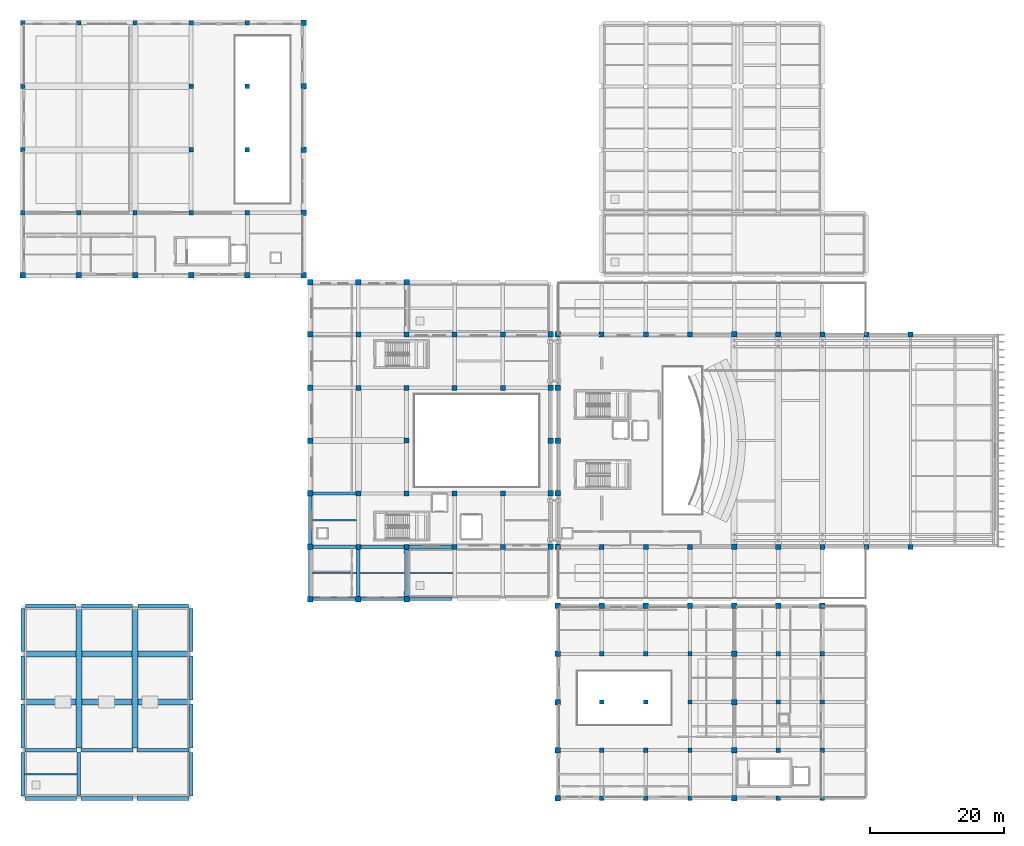
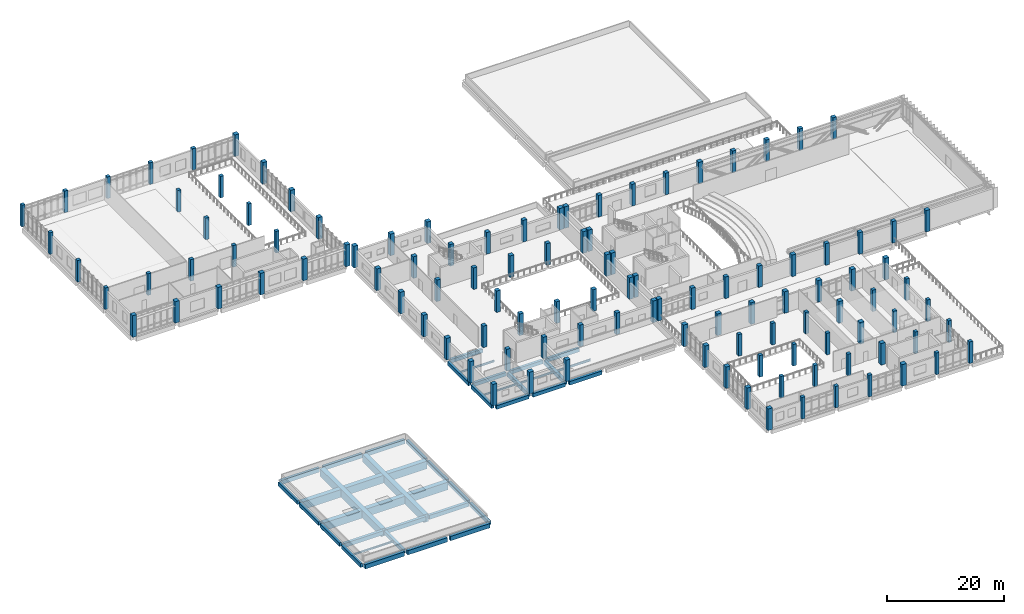
# One storey, part 1 of 54: 115 columns, 38 beams.
"""IFC4 building model written with IfcOpenShell, lengths in metres."""

from ifc_helpers import new_model, si_unit, direction, frame, origin, origin_2d, place, context, subcontext, project, spatial, rectangle, i_section, extrude, material, material_profile, profile_set, type_object, element, save


model = new_model("IFC4")

# Units and contexts
model_context = context("Model", 3, precision=1e-05, world=origin(), true_north=direction((0.0, 1.0)))
body_context = subcontext(model_context, "Body", "Model", "MODEL_VIEW")
ifc_project = project(units=[si_unit("LENGTHUNIT", "METRE"), si_unit("AREAUNIT", "SQUARE_METRE"), si_unit("VOLUMEUNIT", "CUBIC_METRE"), si_unit("PLANEANGLEUNIT", "RADIAN"), si_unit("MASSUNIT", "GRAM", prefix="KILO")], contexts=[model_context])

# Site, building, storey
site_placement = place(None, origin())
site = spatial("IfcSite", under=ifc_project, at=site_placement, CompositionType="ELEMENT")
building_placement = place(site_placement, origin())
building = spatial("IfcBuilding", under=site, at=building_placement, Name="Kelarvand Opera House", CompositionType="ELEMENT")
storey_placement = place(building_placement, frame((0.0, 0.0, 15.0)))
storey = spatial("IfcBuildingStorey", under=building, at=storey_placement, Name="L03", CompositionType="ELEMENT", Elevation=15.0)

# Columns
ifc_material_1 = material(Name="Concrete C40/50", Category="concrete")
ifc_material_profile_1 = material_profile(ifc_material_1, rectangle(XDim=0.64990234375, YDim=0.64990234375, at=origin_2d()), Name="RC 650x650", Category="concrete")
ifc_profile_set_1 = profile_set([ifc_material_profile_1], Name="Concrete C40/50")
column_type_1 = type_object("IfcColumnType", Name="Structural Column RC 650x650 (Ext) COL-650E", PredefinedType="COLUMN", material=ifc_profile_set_1)
for number, where, z_axis, x_axis, name in (
    (1, (9.0, 96.60009765625, 0.0), (0.0, 0.0, 1.0), (1.0, 0.0, 0.0), "V3 Column COL-650E at L03"),
    (2, (9.0, 106.0, 0.0), (0.0, 0.0, 1.0), (1.0, 0.0, 0.0), "V3 Column COL-650E at L03"),
    (3, (9.0, 115.5, 0.0), (0.0, 0.0, 1.0), (1.0, 0.0, 0.0), "V3 Column COL-650E at L03"),
    (4, (9.0, 125.0, 0.0), (0.0, 0.0, 1.0), (1.0, 0.0, 0.0), "V3 Column COL-650E at L03"),
    (5, (17.39990234375, 125.0, 0.0), (0.0, 0.0, 1.0), (1.0, 0.0, 0.0), "V3 Column COL-650E at L03"),
    (6, (25.800048828125, 125.0, 0.0), (0.0, 0.0, 1.0), (1.0, 0.0, 0.0), "V3 Column COL-650E at L03"),
    (7, (34.199951171875, 125.0, 0.0), (0.0, 0.0, 1.0), (1.0, 0.0, 0.0), "V3 Column COL-650E at L03"),
    (8, (42.60009765625, 125.0, 0.0), (0.0, 0.0, 1.0), (1.0, 0.0, 0.0), "V3 Column COL-650E at L03"),
    (9, (95.60009765625, 9.0, 0.0), (0.0, 0.0, 1.0), (1.0, 0.0, 0.0), "V6 Column COL-650E at L03"),
    (10, (102.199951171875, 9.0, 0.0), (0.0, 0.0, 1.0), (1.0, 0.0, 0.0), "V6 Column COL-650E at L03"),
    (11, (108.800048828125, 9.0, 0.0), (0.0, 0.0, 1.0), (1.0, 0.0, 0.0), "V6 Column COL-650E at L03"),
    (12, (122.0, 9.0, 0.0), (0.0, 0.0, 1.0), (1.0, 0.0, 0.0), "V6 Column COL-650E at L03"),
    (13, (128.60009765625, 9.0, 0.0), (0.0, 0.0, 1.0), (1.0, 0.0, 0.0), "V6 Column COL-650E at L03"),
):
    element("IfcColumn", number, at=place(storey_placement, frame(where, z_axis=z_axis, x_axis=x_axis)), inside=storey, type_object=column_type_1, Name=name, PredefinedType="COLUMN", context=body_context, shape_type="SweptSolid", body=[
        extrude(rectangle(XDim=0.64990234375, YDim=0.64990234375, at=origin_2d()), origin(), (0.0, 0.0, 1.0), 4.5),
    ])
ifc_material_profile_2 = material_profile(ifc_material_1, rectangle(XDim=0.64990234375, YDim=0.64990234375, at=origin_2d()), Name="RC 650x650", Category="concrete")
ifc_profile_set_2 = profile_set([ifc_material_profile_2], Name="Concrete C40/50")
column_type_2 = type_object("IfcColumnType", Name="Structural Column RC 650x650 (Int) COL-650", PredefinedType="COLUMN", material=ifc_profile_set_2)
for number, where, z_axis, x_axis, name in (
    (14, (17.39990234375, 96.60009765625, 0.0), (0.0, 0.0, 1.0), (1.0, 0.0, 0.0), "V3 Column COL-650 at L03"),
    (15, (25.800048828125, 96.60009765625, 0.0), (0.0, 0.0, 1.0), (1.0, 0.0, 0.0), "V3 Column COL-650 at L03"),
    (16, (34.199951171875, 96.60009765625, 0.0), (0.0, 0.0, 1.0), (1.0, 0.0, 0.0), "V3 Column COL-650 at L03"),
    (17, (34.199951171875, 106.0, 0.0), (0.0, 0.0, 1.0), (1.0, 0.0, 0.0), "V3 Column COL-650 at L03"),
    (18, (34.199951171875, 115.5, 0.0), (0.0, 0.0, 1.0), (1.0, 0.0, 0.0), "V3 Column COL-650 at L03"),
    (19, (42.60009765625, 96.60009765625, 0.0), (0.0, 0.0, 1.0), (1.0, 0.0, 0.0), "V3 Column COL-650 at L03"),
    (20, (42.60009765625, 106.0, 0.0), (0.0, 0.0, 1.0), (1.0, 0.0, 0.0), "V3 Column COL-650 at L03"),
    (21, (42.60009765625, 115.5, 0.0), (0.0, 0.0, 1.0), (1.0, 0.0, 0.0), "V3 Column COL-650 at L03"),
    (22, (95.60009765625, 16.199951171875, 0.0), (0.0, 0.0, 1.0), (1.0, 0.0, 0.0), "V6 Column COL-650 at L03"),
    (23, (95.60009765625, 23.39990234375, 0.0), (0.0, 0.0, 1.0), (1.0, 0.0, 0.0), "V6 Column COL-650 at L03"),
    (24, (95.60009765625, 30.60009765625, 0.0), (0.0, 0.0, 1.0), (1.0, 0.0, 0.0), "V6 Column COL-650 at L03"),
    (25, (102.199951171875, 16.199951171875, 0.0), (0.0, 0.0, 1.0), (1.0, 0.0, 0.0), "V6 Column COL-650 at L03"),
    (26, (102.199951171875, 23.39990234375, 0.0), (0.0, 0.0, 1.0), (1.0, 0.0, 0.0), "V6 Column COL-650 at L03"),
    (27, (102.199951171875, 30.60009765625, 0.0), (0.0, 0.0, 1.0), (1.0, 0.0, 0.0), "V6 Column COL-650 at L03"),
    (28, (108.800048828125, 16.199951171875, 0.0), (0.0, 0.0, 1.0), (1.0, 0.0, 0.0), "V6 Column COL-650 at L03"),
    (29, (108.800048828125, 23.39990234375, 0.0), (0.0, 0.0, 1.0), (1.0, 0.0, 0.0), "V6 Column COL-650 at L03"),
    (30, (108.800048828125, 30.60009765625, 0.0), (0.0, 0.0, 1.0), (1.0, 0.0, 0.0), "V6 Column COL-650 at L03"),
    (31, (122.0, 16.199951171875, 0.0), (0.0, 0.0, 1.0), (1.0, 0.0, 0.0), "V6 Column COL-650 at L03"),
    (32, (122.0, 23.39990234375, 0.0), (0.0, 0.0, 1.0), (1.0, 0.0, 0.0), "V6 Column COL-650 at L03"),
    (33, (122.0, 30.60009765625, 0.0), (0.0, 0.0, 1.0), (1.0, 0.0, 0.0), "V6 Column COL-650 at L03"),
    (34, (128.60009765625, 16.199951171875, 0.0), (0.0, 0.0, 1.0), (1.0, 0.0, 0.0), "V6 Column COL-650 at L03"),
    (35, (128.60009765625, 23.39990234375, 0.0), (0.0, 0.0, 1.0), (1.0, 0.0, 0.0), "V6 Column COL-650 at L03"),
    (36, (128.60009765625, 30.60009765625, 0.0), (0.0, 0.0, 1.0), (1.0, 0.0, 0.0), "V6 Column COL-650 at L03"),
):
    element("IfcColumn", number, at=place(storey_placement, frame(where, z_axis=z_axis, x_axis=x_axis)), inside=storey, type_object=column_type_2, Name=name, PredefinedType="COLUMN", context=body_context, shape_type="SweptSolid", body=[
        extrude(rectangle(XDim=0.64990234375, YDim=0.64990234375, at=origin_2d()), origin(), (0.0, 0.0, 1.0), 4.5),
    ])
ifc_material_profile_3 = material_profile(ifc_material_1, rectangle(XDim=0.75, YDim=0.75, at=origin_2d()), Name="RC 750x750", Category="concrete")
ifc_profile_set_3 = profile_set([ifc_material_profile_3], Name="Concrete C40/50")
column_type_3 = type_object("IfcColumnType", Name="Structural Column RC 750x750 (Int) COL-750", PredefinedType="COLUMN", material=ifc_profile_set_3)
for number, where, z_axis, x_axis, name in (
    (37, (95.60009765625, 46.60009765625, 0.0), (0.0, 0.0, 1.0), (1.0, 0.0, 0.0), "V1 Column COL-750 at L03"),
    (38, (95.60009765625, 78.39990234375, 0.0), (0.0, 0.0, 1.0), (1.0, 0.0, 0.0), "V1 Column COL-750 at L03"),
    (39, (102.199951171875, 46.60009765625, 0.0), (0.0, 0.0, 1.0), (1.0, 0.0, 0.0), "V1 Column COL-750 at L03"),
    (40, (102.199951171875, 78.39990234375, 0.0), (0.0, 0.0, 1.0), (1.0, 0.0, 0.0), "V1 Column COL-750 at L03"),
    (41, (108.800048828125, 46.60009765625, 0.0), (0.0, 0.0, 1.0), (1.0, 0.0, 0.0), "V1 Column COL-750 at L03"),
    (42, (108.800048828125, 78.39990234375, 0.0), (0.0, 0.0, 1.0), (1.0, 0.0, 0.0), "V1 Column COL-750 at L03"),
    (43, (122.0, 46.60009765625, 0.0), (0.0, 0.0, 1.0), (1.0, 0.0, 0.0), "V1 Column COL-750 at L03"),
    (44, (122.0, 78.39990234375, 0.0), (0.0, 0.0, 1.0), (1.0, 0.0, 0.0), "V1 Column COL-750 at L03"),
    (45, (128.60009765625, 46.60009765625, 0.0), (0.0, 0.0, 1.0), (1.0, 0.0, 0.0), "V1 Column COL-750 at L03"),
    (46, (128.60009765625, 78.39990234375, 0.0), (0.0, 0.0, 1.0), (1.0, 0.0, 0.0), "V1 Column COL-750 at L03"),
    (47, (135.199951171875, 46.60009765625, 0.0), (0.0, 0.0, 1.0), (1.0, 0.0, 0.0), "V1 Column COL-750 at L03"),
    (48, (135.199951171875, 78.39990234375, 0.0), (0.0, 0.0, 1.0), (1.0, 0.0, 0.0), "V1 Column COL-750 at L03"),
    (49, (141.800048828125, 46.60009765625, 0.0), (0.0, 0.0, 1.0), (1.0, 0.0, 0.0), "V1 Column COL-750 at L03"),
    (50, (141.800048828125, 78.39990234375, 0.0), (0.0, 0.0, 1.0), (1.0, 0.0, 0.0), "V1 Column COL-750 at L03"),
    (51, (59.199951171875, 46.60009765625, 0.0), (0.0, 0.0, 1.0), (1.0, 0.0, 0.0), "V2 Column COL-750 at L03"),
    (52, (59.199951171875, 54.60009765625, 0.0), (0.0, 0.0, 1.0), (1.0, 0.0, 0.0), "V2 Column COL-750 at L03"),
    (53, (59.199951171875, 70.39990234375, 0.0), (0.0, 0.0, 1.0), (1.0, 0.0, 0.0), "V2 Column COL-750 at L03"),
    (54, (59.199951171875, 78.39990234375, 0.0), (0.0, 0.0, 1.0), (1.0, 0.0, 0.0), "V2 Column COL-750 at L03"),
    (55, (66.39990234375, 46.60009765625, 0.0), (0.0, 0.0, 1.0), (1.0, 0.0, 0.0), "V2 Column COL-750 at L03"),
    (56, (66.39990234375, 54.60009765625, 0.0), (0.0, 0.0, 1.0), (1.0, 0.0, 0.0), "V2 Column COL-750 at L03"),
    (57, (66.39990234375, 62.5, 0.0), (0.0, 0.0, 1.0), (1.0, 0.0, 0.0), "V2 Column COL-750 at L03"),
    (58, (66.39990234375, 70.39990234375, 0.0), (0.0, 0.0, 1.0), (1.0, 0.0, 0.0), "V2 Column COL-750 at L03"),
    (59, (66.39990234375, 78.39990234375, 0.0), (0.0, 0.0, 1.0), (1.0, 0.0, 0.0), "V2 Column COL-750 at L03"),
    (60, (73.60009765625, 46.60009765625, 0.0), (0.0, 0.0, 1.0), (1.0, 0.0, 0.0), "V2 Column COL-750 at L03"),
    (61, (73.60009765625, 54.60009765625, 0.0), (0.0, 0.0, 1.0), (1.0, 0.0, 0.0), "V2 Column COL-750 at L03"),
    (62, (73.60009765625, 70.39990234375, 0.0), (0.0, 0.0, 1.0), (1.0, 0.0, 0.0), "V2 Column COL-750 at L03"),
    (63, (73.60009765625, 78.39990234375, 0.0), (0.0, 0.0, 1.0), (1.0, 0.0, 0.0), "V2 Column COL-750 at L03"),
    (64, (80.800048828125, 46.60009765625, 0.0), (0.0, 0.0, 1.0), (1.0, 0.0, 0.0), "V2 Column COL-750 at L03"),
    (65, (80.800048828125, 54.60009765625, 0.0), (0.0, 0.0, 1.0), (1.0, 0.0, 0.0), "V2 Column COL-750 at L03"),
    (66, (80.800048828125, 70.39990234375, 0.0), (0.0, 0.0, 1.0), (1.0, 0.0, 0.0), "V2 Column COL-750 at L03"),
    (67, (80.800048828125, 78.39990234375, 0.0), (0.0, 0.0, 1.0), (1.0, 0.0, 0.0), "V2 Column COL-750 at L03"),
):
    element("IfcColumn", number, at=place(storey_placement, frame(where, z_axis=z_axis, x_axis=x_axis)), inside=storey, type_object=column_type_3, Name=name, PredefinedType="COLUMN", context=body_context, shape_type="SweptSolid", body=[
        extrude(rectangle(XDim=0.75, YDim=0.75, at=origin_2d()), origin(), (0.0, 0.0, 1.0), 4.5),
    ])
ifc_material_profile_4 = material_profile(ifc_material_1, rectangle(XDim=0.820068359375, YDim=0.820068359375, at=origin_2d()), Name="RC 820x820", Category="concrete")
ifc_profile_set_4 = profile_set([ifc_material_profile_4], Name="Concrete C40/50")
column_type_4 = type_object("IfcColumnType", Name="Structural Column RC 820x820 (Int) COL-820", PredefinedType="COLUMN", material=ifc_profile_set_4)
for number, where, z_axis, x_axis, name in (
    (68, (89.0, 46.60009765625, 0.0), (0.0, 0.0, 1.0), (1.0, 0.0, 0.0), "V1 Column COL-820 at L03"),
    (69, (89.0, 54.60009765625, 0.0), (0.0, 0.0, 1.0), (1.0, 0.0, 0.0), "V1 Column COL-820 at L03"),
    (70, (89.0, 62.5, 0.0), (0.0, 0.0, 1.0), (1.0, 0.0, 0.0), "V1 Column COL-820 at L03"),
    (71, (89.0, 70.39990234375, 0.0), (0.0, 0.0, 1.0), (1.0, 0.0, 0.0), "V1 Column COL-820 at L03"),
    (72, (89.0, 78.39990234375, 0.0), (0.0, 0.0, 1.0), (1.0, 0.0, 0.0), "V1 Column COL-820 at L03"),
    (73, (115.39990234375, 46.60009765625, 0.0), (0.0, 0.0, 1.0), (1.0, 0.0, 0.0), "V1 Column COL-820 at L03"),
    (74, (115.39990234375, 78.39990234375, 0.0), (0.0, 0.0, 1.0), (1.0, 0.0, 0.0), "V1 Column COL-820 at L03"),
    (75, (52.0, 38.800048828125, 0.0), (0.0, 0.0, 1.0), (1.0, 0.0, 0.0), "V2 Column COL-820 at L03"),
    (76, (52.0, 46.60009765625, 0.0), (0.0, 0.0, 1.0), (1.0, 0.0, 0.0), "V2 Column COL-820 at L03"),
    (77, (52.0, 54.60009765625, 0.0), (0.0, 0.0, 1.0), (1.0, 0.0, 0.0), "V2 Column COL-820 at L03"),
    (78, (52.0, 62.5, 0.0), (0.0, 0.0, 1.0), (1.0, 0.0, 0.0), "V2 Column COL-820 at L03"),
    (79, (52.0, 70.39990234375, 0.0), (0.0, 0.0, 1.0), (1.0, 0.0, 0.0), "V2 Column COL-820 at L03"),
    (80, (52.0, 78.39990234375, 0.0), (0.0, 0.0, 1.0), (1.0, 0.0, 0.0), "V2 Column COL-820 at L03"),
    (81, (52.0, 86.199951171875, 0.0), (0.0, 0.0, 1.0), (1.0, 0.0, 0.0), "V2 Column COL-820 at L03"),
    (82, (59.199951171875, 38.800048828125, 0.0), (0.0, 0.0, 1.0), (1.0, 0.0, 0.0), "V2 Column COL-820 at L03"),
    (83, (59.199951171875, 86.199951171875, 0.0), (0.0, 0.0, 1.0), (1.0, 0.0, 0.0), "V2 Column COL-820 at L03"),
    (84, (66.39990234375, 38.800048828125, 0.0), (0.0, 0.0, 1.0), (1.0, 0.0, 0.0), "V2 Column COL-820 at L03"),
    (85, (66.39990234375, 86.199951171875, 0.0), (0.0, 0.0, 1.0), (1.0, 0.0, 0.0), "V2 Column COL-820 at L03"),
    (86, (88.0, 46.60009765625, 0.0), (0.0, 0.0, 1.0), (1.0, 0.0, 0.0), "V2 Column COL-820 at L03"),
    (87, (88.0, 54.60009765625, 0.0), (0.0, 0.0, 1.0), (1.0, 0.0, 0.0), "V2 Column COL-820 at L03"),
    (88, (88.0, 62.5, 0.0), (0.0, 0.0, 1.0), (1.0, 0.0, 0.0), "V2 Column COL-820 at L03"),
    (89, (88.0, 70.39990234375, 0.0), (0.0, 0.0, 1.0), (1.0, 0.0, 0.0), "V2 Column COL-820 at L03"),
    (90, (88.0, 78.39990234375, 0.0), (0.0, 0.0, 1.0), (1.0, 0.0, 0.0), "V2 Column COL-820 at L03"),
    (91, (9.0, 87.199951171875, 0.0), (0.0, 0.0, 1.0), (1.0, 0.0, 0.0), "V3 Column COL-820 at L03"),
    (92, (17.39990234375, 87.199951171875, 0.0), (0.0, 0.0, 1.0), (1.0, 0.0, 0.0), "V3 Column COL-820 at L03"),
    (93, (25.800048828125, 87.199951171875, 0.0), (0.0, 0.0, 1.0), (1.0, 0.0, 0.0), "V3 Column COL-820 at L03"),
    (94, (34.199951171875, 87.199951171875, 0.0), (0.0, 0.0, 1.0), (1.0, 0.0, 0.0), "V3 Column COL-820 at L03"),
    (95, (42.60009765625, 87.199951171875, 0.0), (0.0, 0.0, 1.0), (1.0, 0.0, 0.0), "V3 Column COL-820 at L03"),
    (96, (51.0, 87.199951171875, 0.0), (0.0, 0.0, 1.0), (1.0, 0.0, 0.0), "V3 Column COL-820 at L03"),
    (97, (51.0, 96.60009765625, 0.0), (0.0, 0.0, 1.0), (1.0, 0.0, 0.0), "V3 Column COL-820 at L03"),
    (98, (51.0, 106.0, 0.0), (0.0, 0.0, 1.0), (1.0, 0.0, 0.0), "V3 Column COL-820 at L03"),
    (99, (51.0, 115.5, 0.0), (0.0, 0.0, 1.0), (1.0, 0.0, 0.0), "V3 Column COL-820 at L03"),
    (100, (51.0, 125.0, 0.0), (0.0, 0.0, 1.0), (1.0, 0.0, 0.0), "V3 Column COL-820 at L03"),
    (101, (89.0, 9.0, 0.0), (0.0, 0.0, 1.0), (1.0, 0.0, 0.0), "V6 Column COL-820 at L03"),
    (102, (89.0, 16.199951171875, 0.0), (0.0, 0.0, 1.0), (1.0, 0.0, 0.0), "V6 Column COL-820 at L03"),
    (103, (89.0, 23.39990234375, 0.0), (0.0, 0.0, 1.0), (1.0, 0.0, 0.0), "V6 Column COL-820 at L03"),
    (104, (89.0, 30.60009765625, 0.0), (0.0, 0.0, 1.0), (1.0, 0.0, 0.0), "V6 Column COL-820 at L03"),
    (105, (89.0, 37.800048828125, 0.0), (0.0, 0.0, 1.0), (1.0, 0.0, 0.0), "V6 Column COL-820 at L03"),
    (106, (95.60009765625, 37.800048828125, 0.0), (0.0, 0.0, 1.0), (1.0, 0.0, 0.0), "V6 Column COL-820 at L03"),
    (107, (102.199951171875, 37.800048828125, 0.0), (0.0, 0.0, 1.0), (1.0, 0.0, 0.0), "V6 Column COL-820 at L03"),
    (108, (108.800048828125, 37.800048828125, 0.0), (0.0, 0.0, 1.0), (1.0, 0.0, 0.0), "V6 Column COL-820 at L03"),
    (109, (115.39990234375, 9.0, 0.0), (0.0, 0.0, 1.0), (1.0, 0.0, 0.0), "V6 Column COL-820 at L03"),
    (110, (115.39990234375, 16.199951171875, 0.0), (0.0, 0.0, 1.0), (1.0, 0.0, 0.0), "V6 Column COL-820 at L03"),
    (111, (115.39990234375, 23.39990234375, 0.0), (0.0, 0.0, 1.0), (1.0, 0.0, 0.0), "V6 Column COL-820 at L03"),
    (112, (115.39990234375, 30.60009765625, 0.0), (0.0, 0.0, 1.0), (1.0, 0.0, 0.0), "V6 Column COL-820 at L03"),
    (113, (115.39990234375, 37.800048828125, 0.0), (0.0, 0.0, 1.0), (1.0, 0.0, 0.0), "V6 Column COL-820 at L03"),
    (114, (122.0, 37.800048828125, 0.0), (0.0, 0.0, 1.0), (1.0, 0.0, 0.0), "V6 Column COL-820 at L03"),
    (115, (128.60009765625, 37.800048828125, 0.0), (0.0, 0.0, 1.0), (1.0, 0.0, 0.0), "V6 Column COL-820 at L03"),
):
    element("IfcColumn", number, at=place(storey_placement, frame(where, z_axis=z_axis, x_axis=x_axis)), inside=storey, type_object=column_type_4, Name=name, PredefinedType="COLUMN", context=body_context, shape_type="SweptSolid", body=[
        extrude(rectangle(XDim=0.820068359375, YDim=0.820068359375, at=origin_2d()), origin(), (0.0, 0.0, 1.0), 4.5),
    ])

# Beams
ifc_material_profile_5 = material_profile(ifc_material_1, rectangle(XDim=0.5, YDim=0.75, at=origin_2d()), Name="RC 500x750", Category="concrete")
ifc_profile_set_5 = profile_set([ifc_material_profile_5], Name="Concrete C40/50")
beam_type_1 = type_object("IfcBeamType", Name="Structural Beam RC 500x750 BM-RC500x750", PredefinedType="BEAM", material=ifc_profile_set_5)
beam_1_placement = place(storey_placement, frame((52.409912109375, 46.60009765625, -0.695068359375), z_axis=(1.0, 0.0, 0.0), x_axis=(0.0, 1.0, 0.0)))
element("IfcBeam", 116, at=beam_1_placement, inside=storey, type_object=beam_type_1, Name="V2 L03 Beam BM-RC500x750", PredefinedType="BEAM", context=body_context, shape_type="SweptSolid", body=[
    extrude(rectangle(XDim=0.5, YDim=0.75, at=origin_2d()), origin(), (0.0, 0.0, 1.0), 6.4150390625),
])
beam_2_placement = place(storey_placement, frame((59.574951171875, 46.60009765625, -0.695068359375), z_axis=(1.0, 0.0, 0.0), x_axis=(0.0, 1.0, 0.0)))
element("IfcBeam", 117, at=beam_2_placement, inside=storey, type_object=beam_type_1, Name="V2 L03 Beam BM-RC500x750", PredefinedType="BEAM", context=body_context, shape_type="SweptSolid", body=[
    extrude(rectangle(XDim=0.5, YDim=0.75, at=origin_2d()), origin(), (0.0, 0.0, 1.0), 6.449951171875),
])
beam_3_placement = place(storey_placement, frame((66.77490234375, 46.60009765625, -0.695068359375), z_axis=(1.0, 0.0, 0.0), x_axis=(0.0, 1.0, 0.0)))
element("IfcBeam", 118, at=beam_3_placement, inside=storey, type_object=beam_type_1, Name="V2 L03 Beam BM-RC500x750", PredefinedType="BEAM", context=body_context, shape_type="SweptSolid", body=[
    extrude(rectangle(XDim=0.5, YDim=0.75, at=origin_2d()), origin(), (0.0, 0.0, 1.0), 6.4501953125),
])
beam_4_placement = place(storey_placement, frame((52.409912109375, 54.60009765625, -0.695068359375), z_axis=(1.0, 0.0, 0.0), x_axis=(0.0, 1.0, 0.0)))
element("IfcBeam", 119, at=beam_4_placement, inside=storey, type_object=beam_type_1, Name="V2 L03 Beam BM-RC500x750", PredefinedType="BEAM", context=body_context, shape_type="SweptSolid", body=[
    extrude(rectangle(XDim=0.5, YDim=0.75, at=origin_2d()), origin(), (0.0, 0.0, 1.0), 6.4150390625),
])
for number, where, z_axis, x_axis, name in (
    (120, (17.39990234375, 9.324951171875, -0.594970703125), (0.0, 1.0, 0.0), (-1.0, 0.0, 0.0), "V4 L03 Beam BM-RC500x750"),
    (121, (34.199951171875, 9.324951171875, -0.594970703125), (0.0, 1.0, 0.0), (-1.0, 0.0, 0.0), "V4 L03 Beam BM-RC500x750"),
    (122, (34.199951171875, 16.52490234375, -0.594970703125), (0.0, 1.0, 0.0), (-1.0, 0.0, 0.0), "V4 L03 Beam BM-RC500x750"),
):
    element("IfcBeam", number, at=place(storey_placement, frame(where, z_axis=z_axis, x_axis=x_axis)), inside=storey, type_object=beam_type_1, Name=name, PredefinedType="BEAM", context=body_context, shape_type="SweptSolid", body=[
        extrude(rectangle(XDim=0.5, YDim=0.75, at=origin_2d()), origin(), (0.0, 0.0, 1.0), 6.550048828125),
    ])
beam_5_placement = place(storey_placement, frame((34.199951171875, 23.72509765625, -0.594970703125), z_axis=(0.0, 1.0, 0.0), x_axis=(-1.0, 0.0, 0.0)))
element("IfcBeam", 123, at=beam_5_placement, inside=storey, type_object=beam_type_1, Name="V4 L03 Beam BM-RC500x750", PredefinedType="BEAM", context=body_context, shape_type="SweptSolid", body=[
    extrude(rectangle(XDim=0.5, YDim=0.75, at=origin_2d()), origin(), (0.0, 0.0, 1.0), 6.5498046875),
])
beam_6_placement = place(storey_placement, frame((34.199951171875, 30.925048828125, -0.594970703125), z_axis=(0.0, 1.0, 0.0), x_axis=(-1.0, 0.0, 0.0)))
element("IfcBeam", 124, at=beam_6_placement, inside=storey, type_object=beam_type_1, Name="V4 L03 Beam BM-RC500x750", PredefinedType="BEAM", context=body_context, shape_type="SweptSolid", body=[
    extrude(rectangle(XDim=0.5, YDim=0.75, at=origin_2d()), origin(), (0.0, 0.0, 1.0), 6.46484375),
])
ifc_material_profile_6 = material_profile(ifc_material_1, rectangle(XDim=0.550048828125, YDim=0.85009765625, at=origin_2d()), Name="RC 550x850", Category="concrete")
ifc_profile_set_6 = profile_set([ifc_material_profile_6], Name="Concrete C40/50")
beam_type_2 = type_object("IfcBeamType", Name="Structural Beam RC 550x850 BM-RC550x850", PredefinedType="BEAM", material=ifc_profile_set_6)
for number, where, z_axis, x_axis, name in (
    (125, (59.199951171875, 39.2099609375, -0.7451171875), (0.0, 1.0, 0.0), (-1.0, 0.0, 0.0), "V2 L03 Beam BM-RC550x850"),
    (126, (66.39990234375, 39.2099609375, -0.7451171875), (0.0, 1.0, 0.0), (-1.0, 0.0, 0.0), "V2 L03 Beam BM-RC550x850"),
):
    element("IfcBeam", number, at=place(storey_placement, frame(where, z_axis=z_axis, x_axis=x_axis)), inside=storey, type_object=beam_type_2, Name=name, PredefinedType="BEAM", context=body_context, shape_type="SweptSolid", body=[
        extrude(rectangle(XDim=0.550048828125, YDim=0.85009765625, at=origin_2d()), origin(), (0.0, 0.0, 1.0), 7.01513671875),
    ])
for number, where, z_axis, x_axis, name in (
    (127, (9.324951171875, 16.199951171875, -0.64501953125), (1.0, 0.0, 0.0), (0.0, 1.0, 0.0), "V4 L03 Beam BM-RC550x850"),
    (128, (17.72509765625, 16.199951171875, -0.64501953125), (1.0, 0.0, 0.0), (0.0, 1.0, 0.0), "V4 L03 Beam BM-RC550x850"),
    (129, (26.125, 16.199951171875, -0.64501953125), (1.0, 0.0, 0.0), (0.0, 1.0, 0.0), "V4 L03 Beam BM-RC550x850"),
):
    element("IfcBeam", number, at=place(storey_placement, frame(where, z_axis=z_axis, x_axis=x_axis)), inside=storey, type_object=beam_type_2, Name=name, PredefinedType="BEAM", context=body_context, shape_type="SweptSolid", body=[
        extrude(rectangle(XDim=0.550048828125, YDim=0.85009765625, at=origin_2d()), origin(), (0.0, 0.0, 1.0), 7.75),
    ])
beam_7_placement = place(storey_placement, frame((9.409912109375, 37.800048828125, -0.64501953125), z_axis=(1.0, 0.0, 0.0), x_axis=(0.0, 1.0, 0.0)))
element("IfcBeam", 130, at=beam_7_placement, inside=storey, type_object=beam_type_2, Name="V4 L03 Beam BM-RC550x850", PredefinedType="BEAM", context=body_context, shape_type="SweptSolid", body=[
    extrude(rectangle(XDim=0.550048828125, YDim=0.85009765625, at=origin_2d()), origin(), (0.0, 0.0, 1.0), 7.580078125),
])
beam_8_placement = place(storey_placement, frame((17.81005859375, 37.800048828125, -0.64501953125), z_axis=(1.0, 0.0, 0.0), x_axis=(0.0, 1.0, 0.0)))
element("IfcBeam", 131, at=beam_8_placement, inside=storey, type_object=beam_type_2, Name="V4 L03 Beam BM-RC550x850", PredefinedType="BEAM", context=body_context, shape_type="SweptSolid", body=[
    extrude(rectangle(XDim=0.550048828125, YDim=0.85009765625, at=origin_2d()), origin(), (0.0, 0.0, 1.0), 7.579833984375),
])
beam_9_placement = place(storey_placement, frame((26.2099609375, 37.800048828125, -0.64501953125), z_axis=(1.0, 0.0, 0.0), x_axis=(0.0, 1.0, 0.0)))
element("IfcBeam", 132, at=beam_9_placement, inside=storey, type_object=beam_type_2, Name="V4 L03 Beam BM-RC550x850", PredefinedType="BEAM", context=body_context, shape_type="SweptSolid", body=[
    extrude(rectangle(XDim=0.550048828125, YDim=0.85009765625, at=origin_2d()), origin(), (0.0, 0.0, 1.0), 7.580078125),
])
ifc_material_profile_7 = material_profile(ifc_material_1, rectangle(XDim=0.89990234375, YDim=1.60009765625, at=origin_2d()), Name="RC 900x1600", Category="concrete")
ifc_profile_set_7 = profile_set([ifc_material_profile_7], Name="Concrete C40/50")
beam_type_3 = type_object("IfcBeamType", Name="Structural Beam RC 900x1600 BM-RC900x1600", PredefinedType="BEAM", material=ifc_profile_set_7)
for number, where, z_axis, x_axis, name in (
    (133, (9.324951171875, 23.39990234375, -1.02001953125), (1.0, 0.0, 0.0), (0.0, 1.0, 0.0), "V4 L03 Beam BM-RC900x1600"),
    (134, (9.324951171875, 30.60009765625, -1.02001953125), (1.0, 0.0, 0.0), (0.0, 1.0, 0.0), "V4 L03 Beam BM-RC900x1600"),
):
    element("IfcBeam", number, at=place(storey_placement, frame(where, z_axis=z_axis, x_axis=x_axis)), inside=storey, type_object=beam_type_3, Name=name, PredefinedType="BEAM", context=body_context, shape_type="SweptSolid", body=[
        extrude(rectangle(XDim=0.89990234375, YDim=1.60009765625, at=origin_2d()), origin(), (0.0, 0.0, 1.0), 24.550048828125),
    ])
for number, where, z_axis, x_axis, name in (
    (135, (17.39990234375, 16.52490234375, -1.02001953125), (0.0, 1.0, 0.0), (-1.0, 0.0, 0.0), "V4 L03 Beam BM-RC900x1600"),
    (136, (25.800048828125, 16.52490234375, -1.02001953125), (0.0, 1.0, 0.0), (-1.0, 0.0, 0.0), "V4 L03 Beam BM-RC900x1600"),
):
    element("IfcBeam", number, at=place(storey_placement, frame(where, z_axis=z_axis, x_axis=x_axis)), inside=storey, type_object=beam_type_3, Name=name, PredefinedType="BEAM", context=body_context, shape_type="SweptSolid", body=[
        extrude(rectangle(XDim=0.89990234375, YDim=1.60009765625, at=origin_2d()), origin(), (0.0, 0.0, 1.0), 20.864990234375),
    ])
ifc_material_2 = material(Name="Steel S355", Category="steel")
ifc_material_profile_8 = material_profile(ifc_material_2, i_section(OverallWidth=0.169921875, OverallDepth=0.360107421875, WebThickness=0.008056640625, FlangeThickness=0.0126953125, at=origin_2d()), Name="IPE 360", Category="steel")
ifc_profile_set_8 = profile_set([ifc_material_profile_8], Name="Steel S355")
beam_type_4 = type_object("IfcBeamType", Name="Structural Joist IPE 360 JS-IPE360", PredefinedType="JOIST", material=ifc_profile_set_8)
beam_10_placement = place(storey_placement, frame((52.25, 42.699951171875, -0.5), z_axis=(1.0, 0.0, 0.0), x_axis=(0.0, 1.0, 0.0)))
element("IfcBeam", 137, at=beam_10_placement, inside=storey, type_object=beam_type_4, Name="V2 L03 Beam JS-IPE360", PredefinedType="JOIST", context=body_context, shape_type="SweptSolid", body=[
    extrude(i_section(OverallWidth=0.169921875, OverallDepth=0.360107421875, WebThickness=0.008056640625, FlangeThickness=0.0126953125, at=origin_2d()), origin(), (0.0, 0.0, 1.0), 6.675048828125),
])
beam_11_placement = place(storey_placement, frame((9.25, 12.60009765625, -0.39990234375), z_axis=(1.0, 0.0, 0.0), x_axis=(0.0, 1.0, 0.0)))
element("IfcBeam", 138, at=beam_11_placement, inside=storey, type_object=beam_type_4, Name="V4 L03 Beam JS-IPE360", PredefinedType="JOIST", context=body_context, shape_type="SweptSolid", body=[
    extrude(i_section(OverallWidth=0.169921875, OverallDepth=0.360107421875, WebThickness=0.008056640625, FlangeThickness=0.0126953125, at=origin_2d()), origin(), (0.0, 0.0, 1.0), 7.89990234375),
])
ifc_material_profile_9 = material_profile(ifc_material_2, i_section(OverallWidth=0.179931640625, OverallDepth=0.39990234375, WebThickness=0.008544921875, FlangeThickness=0.013427734375, at=origin_2d()), Name="IPE 400", Category="steel")
ifc_profile_set_9 = profile_set([ifc_material_profile_9], Name="Steel S355")
beam_type_5 = type_object("IfcBeamType", Name="Structural Joist IPE 400 JS-IPE400", PredefinedType="JOIST", material=ifc_profile_set_9)
beam_12_placement = place(storey_placement, frame((52.25, 50.60009765625, -0.52001953125), z_axis=(1.0, 0.0, 0.0), x_axis=(0.0, 1.0, 0.0)))
element("IfcBeam", 139, at=beam_12_placement, inside=storey, type_object=beam_type_5, Name="V2 L03 Beam JS-IPE400", PredefinedType="JOIST", context=body_context, shape_type="SweptSolid", body=[
    extrude(i_section(OverallWidth=0.179931640625, OverallDepth=0.39990234375, WebThickness=0.008544921875, FlangeThickness=0.013427734375, at=origin_2d()), origin(), (0.0, 0.0, 1.0), 6.675048828125),
])
beam_13_placement = place(storey_placement, frame((59.47509765625, 42.699951171875, -0.52001953125), z_axis=(1.0, 0.0, 0.0), x_axis=(0.0, 1.0, 0.0)))
element("IfcBeam", 140, at=beam_13_placement, inside=storey, type_object=beam_type_5, Name="V2 L03 Beam JS-IPE400", PredefinedType="JOIST", context=body_context, shape_type="SweptSolid", body=[
    extrude(i_section(OverallWidth=0.179931640625, OverallDepth=0.39990234375, WebThickness=0.008544921875, FlangeThickness=0.013427734375, at=origin_2d()), origin(), (0.0, 0.0, 1.0), 6.64990234375),
])
ifc_material_profile_10 = material_profile(ifc_material_2, i_section(OverallWidth=0.18994140625, OverallDepth=0.449951171875, WebThickness=0.009521484375, FlangeThickness=0.0146484375, at=origin_2d()), Name="IPE 450", Category="steel")
ifc_profile_set_10 = profile_set([ifc_material_profile_10], Name="Steel S355")
beam_type_6 = type_object("IfcBeamType", Name="Structural Joist IPE 450 JS-IPE450", PredefinedType="JOIST", material=ifc_profile_set_10)
beam_14_placement = place(storey_placement, frame((66.675048828125, 42.699951171875, -0.544921875), z_axis=(1.0, 0.0, 0.0), x_axis=(0.0, 1.0, 0.0)))
element("IfcBeam", 141, at=beam_14_placement, inside=storey, type_object=beam_type_6, Name="V2 L03 Beam JS-IPE450", PredefinedType="JOIST", context=body_context, shape_type="SweptSolid", body=[
    extrude(i_section(OverallWidth=0.18994140625, OverallDepth=0.449951171875, WebThickness=0.009521484375, FlangeThickness=0.0146484375, at=origin_2d()), origin(), (0.0, 0.0, 1.0), 6.64990234375),
])
ifc_material_profile_11 = material_profile(ifc_material_1, rectangle(XDim=0.5, YDim=0.75, at=origin_2d()), Name="RC 500x750", Category="concrete")
ifc_profile_set_11 = profile_set([ifc_material_profile_11], Name="Concrete C40/50")
beam_type_7 = type_object("IfcBeamType", Name="Structural Spandrel RC 500x750 SP-RC500x750E", PredefinedType="SPANDREL", material=ifc_profile_set_11)
beam_15_placement = place(storey_placement, frame((52.409912109375, 38.800048828125, -0.695068359375), z_axis=(1.0, 0.0, 0.0), x_axis=(0.0, 1.0, 0.0)))
element("IfcBeam", 142, at=beam_15_placement, inside=storey, type_object=beam_type_7, Name="V2 L03 Beam SP-RC500x750E", PredefinedType="SPANDREL", context=body_context, shape_type="SweptSolid", body=[
    extrude(rectangle(XDim=0.5, YDim=0.75, at=origin_2d()), origin(), (0.0, 0.0, 1.0), 6.380126953125),
])
for number, where, z_axis, x_axis, name in (
    (143, (59.610107421875, 38.800048828125, -0.695068359375), (1.0, 0.0, 0.0), (0.0, 1.0, 0.0), "V2 L03 Beam SP-RC500x750E"),
    (144, (66.81005859375, 38.800048828125, -0.695068359375), (1.0, 0.0, 0.0), (0.0, 1.0, 0.0), "V2 L03 Beam SP-RC500x750E"),
):
    element("IfcBeam", number, at=place(storey_placement, frame(where, z_axis=z_axis, x_axis=x_axis)), inside=storey, type_object=beam_type_7, Name=name, PredefinedType="SPANDREL", context=body_context, shape_type="SweptSolid", body=[
        extrude(rectangle(XDim=0.5, YDim=0.75, at=origin_2d()), origin(), (0.0, 0.0, 1.0), 6.3798828125),
    ])
beam_16_placement = place(storey_placement, frame((52.0, 39.2099609375, -0.695068359375), z_axis=(0.0, 1.0, 0.0), x_axis=(-1.0, 0.0, 0.0)))
element("IfcBeam", 145, at=beam_16_placement, inside=storey, type_object=beam_type_7, Name="V2 L03 Beam SP-RC500x750E", PredefinedType="SPANDREL", context=body_context, shape_type="SweptSolid", body=[
    extrude(rectangle(XDim=0.5, YDim=0.75, at=origin_2d()), origin(), (0.0, 0.0, 1.0), 6.97998046875),
])
beam_17_placement = place(storey_placement, frame((52.0, 47.010009765625, -0.695068359375), z_axis=(0.0, 1.0, 0.0), x_axis=(-1.0, 0.0, 0.0)))
element("IfcBeam", 146, at=beam_17_placement, inside=storey, type_object=beam_type_7, Name="V2 L03 Beam SP-RC500x750E", PredefinedType="SPANDREL", context=body_context, shape_type="SweptSolid", body=[
    extrude(rectangle(XDim=0.5, YDim=0.75, at=origin_2d()), origin(), (0.0, 0.0, 1.0), 7.179931640625),
])
for number, where, z_axis, x_axis, name in (
    (147, (9.0, 9.324951171875, -0.594970703125), (0.0, 1.0, 0.0), (-1.0, 0.0, 0.0), "V4 L03 Beam SP-RC500x750E"),
    (148, (9.0, 16.52490234375, -0.594970703125), (0.0, 1.0, 0.0), (-1.0, 0.0, 0.0), "V4 L03 Beam SP-RC500x750E"),
):
    element("IfcBeam", number, at=place(storey_placement, frame(where, z_axis=z_axis, x_axis=x_axis)), inside=storey, type_object=beam_type_7, Name=name, PredefinedType="SPANDREL", context=body_context, shape_type="SweptSolid", body=[
        extrude(rectangle(XDim=0.5, YDim=0.75, at=origin_2d()), origin(), (0.0, 0.0, 1.0), 6.550048828125),
    ])
beam_18_placement = place(storey_placement, frame((9.0, 23.72509765625, -0.594970703125), z_axis=(0.0, 1.0, 0.0), x_axis=(-1.0, 0.0, 0.0)))
element("IfcBeam", 149, at=beam_18_placement, inside=storey, type_object=beam_type_7, Name="V4 L03 Beam SP-RC500x750E", PredefinedType="SPANDREL", context=body_context, shape_type="SweptSolid", body=[
    extrude(rectangle(XDim=0.5, YDim=0.75, at=origin_2d()), origin(), (0.0, 0.0, 1.0), 6.5498046875),
])
beam_19_placement = place(storey_placement, frame((9.0, 30.925048828125, -0.594970703125), z_axis=(0.0, 1.0, 0.0), x_axis=(-1.0, 0.0, 0.0)))
element("IfcBeam", 150, at=beam_19_placement, inside=storey, type_object=beam_type_7, Name="V4 L03 Beam SP-RC500x750E", PredefinedType="SPANDREL", context=body_context, shape_type="SweptSolid", body=[
    extrude(rectangle(XDim=0.5, YDim=0.75, at=origin_2d()), origin(), (0.0, 0.0, 1.0), 6.46484375),
])
ifc_material_profile_12 = material_profile(ifc_material_1, rectangle(XDim=0.60009765625, YDim=0.89990234375, at=origin_2d()), Name="RC 600x900", Category="concrete")
ifc_profile_set_12 = profile_set([ifc_material_profile_12], Name="Concrete C40/50")
beam_type_8 = type_object("IfcBeamType", Name="Structural Spandrel RC 600x900 SP-RC600x900E", PredefinedType="SPANDREL", material=ifc_profile_set_12)
for number, where, z_axis, x_axis, name in (
    (151, (9.324951171875, 9.0, -0.669921875), (1.0, 0.0, 0.0), (0.0, 1.0, 0.0), "V4 L03 Beam SP-RC600x900E"),
    (152, (17.72509765625, 9.0, -0.669921875), (1.0, 0.0, 0.0), (0.0, 1.0, 0.0), "V4 L03 Beam SP-RC600x900E"),
    (153, (26.125, 9.0, -0.669921875), (1.0, 0.0, 0.0), (0.0, 1.0, 0.0), "V4 L03 Beam SP-RC600x900E"),
):
    element("IfcBeam", number, at=place(storey_placement, frame(where, z_axis=z_axis, x_axis=x_axis)), inside=storey, type_object=beam_type_8, Name=name, PredefinedType="SPANDREL", context=body_context, shape_type="SweptSolid", body=[
        extrude(rectangle(XDim=0.60009765625, YDim=0.89990234375, at=origin_2d()), origin(), (0.0, 0.0, 1.0), 7.75),
    ])

save(model, "model.ifc")
